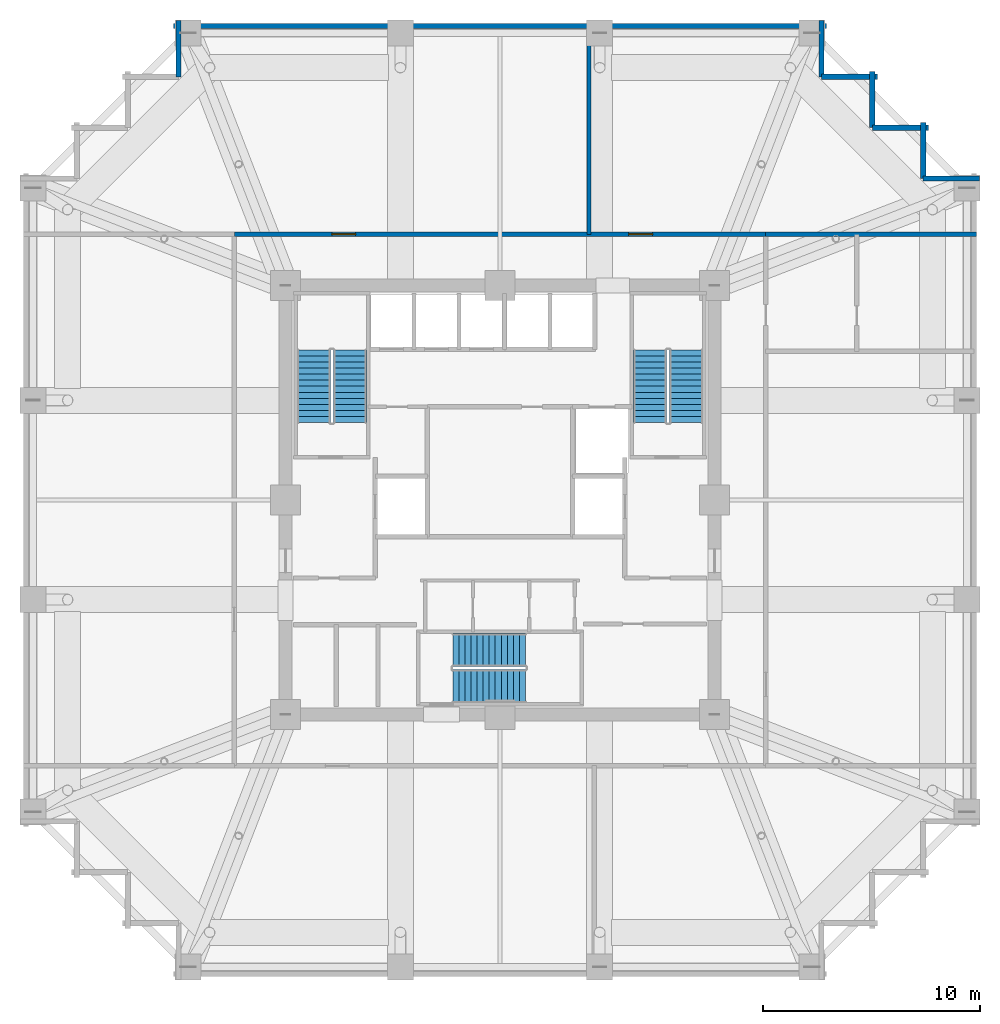
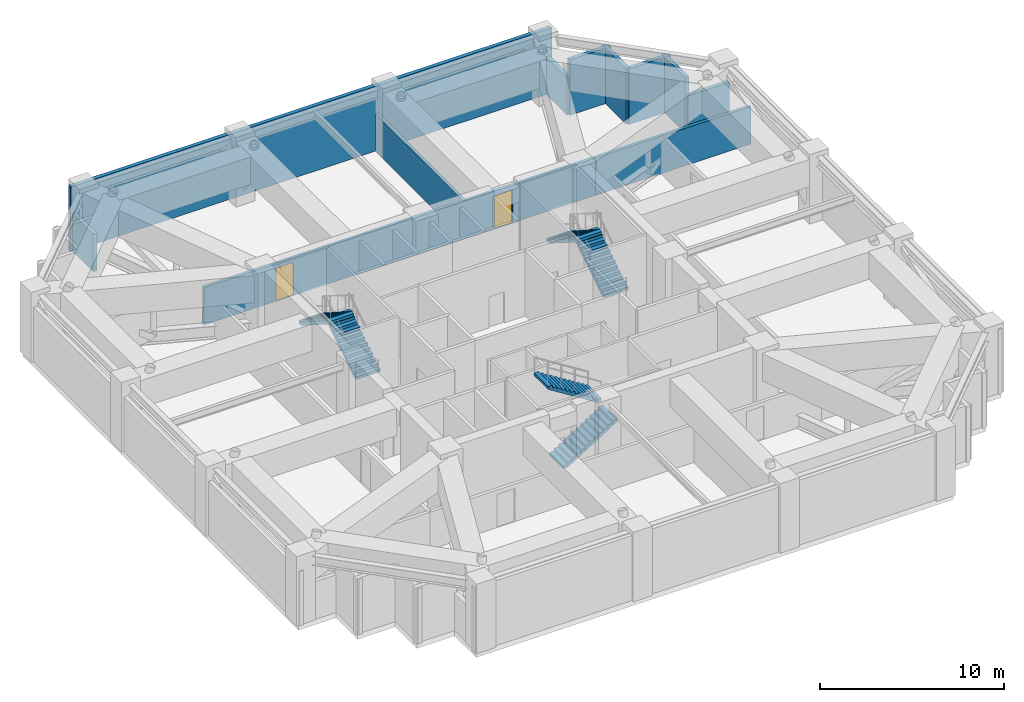
# One storey, part 14 of 15: 11 walls, 6 stair flights, 2 doors, 2 openings, 3 elements without a shape of their own.
"""IFC4 building model written with IfcOpenShell, lengths in metres."""

from ifc_helpers import new_model, si_unit, direction, frame, frame_2d, origin, place, context, subcontext, project, spatial, polyline, rectangle, outline, extrude, material, layer, layer_set, type_object, element, fill, aggregate, save


model = new_model("IFC4")

# Units and contexts
model_context = context("Model", 3, precision=1e-05, world=origin(), true_north=direction((0.0, 1.0)))
body_context = subcontext(model_context, "Body", "Model", "MODEL_VIEW")
ifc_project = project(units=[si_unit("LENGTHUNIT", "METRE"), si_unit("AREAUNIT", "SQUARE_METRE"), si_unit("VOLUMEUNIT", "CUBIC_METRE"), si_unit("PLANEANGLEUNIT", "RADIAN"), si_unit("MASSUNIT", "GRAM", prefix="KILO")], contexts=[model_context])

# Site, building, storey
site_placement = place(None, origin())
site = spatial("IfcSite", under=ifc_project, at=site_placement, CompositionType="ELEMENT")
building_placement = place(site_placement, origin())
building = spatial("IfcBuilding", under=site, at=building_placement, Name="Kolvaren Belvedere", CompositionType="ELEMENT")
storey_placement = place(building_placement, frame((0.0, 0.0, 63.39990234375)))
storey = spatial("IfcBuildingStorey", under=building, at=storey_placement, Name="L18", CompositionType="ELEMENT", Elevation=63.39990234375)

# Walls
ifc_material_1 = material(Name="Insulated acoustic pale-metal louvre wall", Category="aluminium")
ifc_layer_1 = layer(ifc_material_1, 0.239990234375)
ifc_layer_set_1 = layer_set([ifc_layer_1], Name="Insulated acoustic pale-metal louvre wall")
wall_type_1 = type_object("IfcWallType", Name="WL-LOUV-240", PredefinedType="STANDARD", material=ifc_layer_set_1)
wall_1_placement = place(storey_placement, frame((19.530029296875, 14.830078125, 0.0), z_axis=(0.0, 0.0, 1.0), x_axis=(1.0, 0.0, 0.0)))
element("IfcWall", 1, at=wall_1_placement, inside=storey, type_object=wall_type_1, Name="L18 Acoustic Louvre Facade Wall 9", PredefinedType="STANDARD", context=body_context, shape_type="SweptSolid", body=[
    extrude(rectangle(XDim=2.590087890625, YDim=0.239990234375, at=frame_2d((1.294921875, 0.0))), origin(), (0.0, 0.0, 1.0), 2.4951171875),
])
wall_2_placement = place(storey_placement, frame((19.530029296875, 17.419921875, 0.0), z_axis=(0.0, 0.0, 1.0), x_axis=(0.0, -1.0, 0.0)))
element("IfcWall", 2, at=wall_2_placement, inside=storey, type_object=wall_type_1, Name="L18 Acoustic Louvre Facade Wall 10", PredefinedType="STANDARD", context=body_context, shape_type="SweptSolid", body=[
    extrude(rectangle(XDim=2.58984375, YDim=0.239990234375, at=frame_2d((1.294921875, 0.0))), origin(), (0.0, 0.0, 1.0), 3.67919921875),
])
for number, where, z_axis, x_axis, name in (
    (3, (17.179931640625, 17.179931640625, 0.0), (0.0, 0.0, 1.0), (1.0, 0.0, 0.0), "L18 Acoustic Louvre Facade Wall 11"),
    (4, (17.179931640625, 19.77001953125, 0.0), (0.0, 0.0, 1.0), (0.0, -1.0, 0.0), "L18 Acoustic Louvre Facade Wall 12"),
):
    element("IfcWall", number, at=place(storey_placement, frame(where, z_axis=z_axis, x_axis=x_axis)), inside=storey, type_object=wall_type_1, Name=name, PredefinedType="STANDARD", context=body_context, shape_type="SweptSolid", body=[
        extrude(rectangle(XDim=2.590087890625, YDim=0.239990234375, at=frame_2d((1.294921875, 0.0))), origin(), (0.0, 0.0, 1.0), 3.67919921875),
    ])
wall_3_placement = place(storey_placement, frame((14.830078125, 19.530029296875, 0.0), z_axis=(0.0, 0.0, 1.0), x_axis=(1.0, 0.0, 0.0)))
element("IfcWall", 5, at=wall_3_placement, inside=storey, type_object=wall_type_1, Name="L18 Acoustic Louvre Facade Wall 13", PredefinedType="STANDARD", context=body_context, shape_type="SweptSolid", body=[
    extrude(rectangle(XDim=2.58984375, YDim=0.239990234375, at=frame_2d((1.294921875, 0.0))), origin(), (0.0, 0.0, 1.0), 3.67919921875),
])
wall_4_placement = place(storey_placement, frame((14.830078125, 22.1201171875, 0.0), z_axis=(0.0, 0.0, 1.0), x_axis=(0.0, -1.0, 0.0)))
element("IfcWall", 6, at=wall_4_placement, inside=storey, type_object=wall_type_1, Name="L18 Acoustic Louvre Facade Wall 14", PredefinedType="STANDARD", context=body_context, shape_type="SweptSolid", body=[
    extrude(rectangle(XDim=2.590087890625, YDim=0.239990234375, at=frame_2d((1.294921875, 0.0))), origin(), (0.0, 0.0, 1.0), 2.4951171875),
])
wall_5_placement = place(storey_placement, frame((-15.070068359375, 21.8798828125, 0.0), z_axis=(0.0, 0.0, 1.0), x_axis=(1.0, 0.0, 0.0)))
element("IfcWall", 7, at=wall_5_placement, inside=storey, type_object=wall_type_1, Name="L18 Acoustic Louvre Facade Wall 15", PredefinedType="STANDARD", context=body_context, shape_type="SweptSolid", body=[
    extrude(rectangle(XDim=30.14013671875, YDim=0.239990234375, at=frame_2d((15.070068359375, 0.0))), origin(), (0.0, 0.0, 1.0), 4.300048828125),
])
wall_6_placement = place(storey_placement, frame((-14.830078125, 19.530029296875, 0.0), z_axis=(0.0, 0.0, 1.0), x_axis=(0.0, 1.0, 0.0)))
element("IfcWall", 8, at=wall_6_placement, inside=storey, type_object=wall_type_1, Name="L18 Acoustic Louvre Facade Wall 16", PredefinedType="STANDARD", context=body_context, shape_type="SweptSolid", body=[
    extrude(rectangle(XDim=2.590087890625, YDim=0.239990234375, at=frame_2d((1.294921875, 0.0))), origin(), (0.0, 0.0, 1.0), 2.4951171875),
])

# Wall, openings, doors
ifc_material_2 = material(Name="Concrete C50/60", Category="concrete")
ifc_layer_2 = layer(ifc_material_2, 0.199951171875)
ifc_layer_set_2 = layer_set([ifc_layer_2], Name="Concrete C50/60")
wall_type_2 = type_object("IfcWallType", Name="WL-SHAFT-200", PredefinedType="SOLIDWALL", material=ifc_layer_set_2)
wall_7_placement = place(storey_placement, frame((-12.260009765625, 12.260009765625, 0.0), z_axis=(0.0, 0.0, 1.0), x_axis=(1.0, 0.0, 0.0)))
wall_7 = element("IfcWall", 9, at=wall_7_placement, inside=storey, type_object=wall_type_2, Name="L18 North Corridor Wall", PredefinedType="SOLIDWALL", context=body_context, shape_type="SweptSolid", body=[
    extrude(rectangle(XDim=24.52001953125, YDim=0.199951171875, at=frame_2d((12.260009765625, 0.0))), origin(), (0.0, 0.0, 1.0), 2.485107421875),
])
opening_1_placement = place(wall_7_placement, frame((4.5, 0.0, 0.0)))
opening_1 = element("IfcOpeningElement", 10, at=opening_1_placement, cuts=wall_7, Name="Opening D-FD90", PredefinedType="OPENING", context=body_context, shape_type="SweptSolid", body=[
    extrude(rectangle(XDim=1.10009765625, YDim=2.199951171875, at=frame_2d((0.550048828125, 1.10009765625))), frame((0.0, 0.10986328125, 0.0), z_axis=(0.0, -1.0, 0.0), x_axis=(1.0, 0.0, 0.0)), (0.0, 0.0, 1.0), 0.219970703125),
])
opening_2_placement = place(wall_7_placement, frame((18.199951171875, 0.0, 0.0)))
opening_2 = element("IfcOpeningElement", 11, at=opening_2_placement, cuts=wall_7, Name="Opening D-FD90", PredefinedType="OPENING", context=body_context, shape_type="SweptSolid", body=[
    extrude(rectangle(XDim=1.10009765625, YDim=2.199951171875, at=frame_2d((0.550048828125, 1.10009765625))), frame((0.0, 0.10986328125, 0.0), z_axis=(0.0, -1.0, 0.0), x_axis=(1.0, 0.0, 0.0)), (0.0, 0.0, 1.0), 0.219970703125),
])
ifc_material_3 = material(Name="Painted hollow stainless steel", Category="steel")
door_type = type_object("IfcDoorType", Name="DR-FD90-1100", OperationType="NOTDEFINED", PredefinedType="DOOR", material=ifc_material_3)
door_1_placement = place(opening_1_placement, origin())
door_1 = element("IfcDoor", 12, at=door_1_placement, inside=storey, type_object=door_type, Name="L18 North Pressurised Area of Refuge Door", OperationType="SINGLE_SWING_RIGHT", OverallHeight=2.199951171875, OverallWidth=1.10009765625, PredefinedType="DOOR", context=body_context, shape_type="SweptSolid", body=[
    extrude(rectangle(XDim=1.10009765625, YDim=2.199951171875, at=frame_2d((0.550048828125, 1.10009765625))), frame((0.0, 0.02490234375, 0.0), z_axis=(0.0, -1.0, 0.0), x_axis=(1.0, 0.0, 0.0)), (0.0, 0.0, 1.0), 0.050048828125),
])
fill(opening_1, door_1)
door_2_placement = place(opening_2_placement, origin())
door_2 = element("IfcDoor", 13, at=door_2_placement, inside=storey, type_object=door_type, Name="L18 Domestic Booster Pump Mechanical Plant Door", OperationType="SINGLE_SWING_LEFT", OverallHeight=2.199951171875, OverallWidth=1.10009765625, PredefinedType="DOOR", context=body_context, shape_type="SweptSolid", body=[
    extrude(rectangle(XDim=1.10009765625, YDim=2.199951171875, at=frame_2d((0.550048828125, 1.10009765625))), frame((0.0, 0.02490234375, 0.0), z_axis=(0.0, -1.0, 0.0), x_axis=(1.0, 0.0, 0.0)), (0.0, 0.0, 1.0), 0.050048828125),
])
fill(opening_2, door_2)

# Walls
wall_8_placement = place(storey_placement, frame((12.260009765625, 12.260009765625, 0.0), z_axis=(0.0, 0.0, 1.0), x_axis=(1.0, 0.0, 0.0)))
element("IfcWall", 14, at=wall_8_placement, inside=storey, type_object=wall_type_2, Name="L18 Sector Wall PW-L18-QNE", PredefinedType="SOLIDWALL", context=body_context, shape_type="SweptSolid", body=[
    extrude(rectangle(XDim=9.719970703125, YDim=0.199951171875, at=frame_2d((4.85986328125, 0.0))), origin(), (0.0, 0.0, 1.0), 2.485107421875),
])
wall_9_placement = place(storey_placement, frame((4.10498046875, 12.260009765625, 0.0), z_axis=(0.0, 0.0, 1.0), x_axis=(0.0, 1.0, 0.0)))
element("IfcWall", 15, at=wall_9_placement, inside=storey, type_object=wall_type_2, Name="L18 North Plant Wall", PredefinedType="SOLIDWALL", context=body_context, shape_type="SweptSolid", body=[
    extrude(rectangle(XDim=9.619873046875, YDim=0.199951171875, at=frame_2d((4.81005859375, 0.0))), origin(), (0.0, 0.0, 1.0), 2.485107421875),
])

# Stair, stair flights
ifc_material_4 = material(Name="Concrete C50/60", Category="concrete")
stair_type = type_object("IfcStairType", Name="ST-CORE-1520", PredefinedType="HALF_TURN_STAIR", material=ifc_material_4)
stair_1_placement = place(storey_placement, origin())
stair_1 = element("IfcStair", 16, at=stair_1_placement, inside=storey, type_object=stair_type, Name="L18 Protected Exit Stair ST-1", PredefinedType="HALF_TURN_STAIR")
ifc_material_5 = material(Name="Concrete C50/60", Category="concrete")
stair_flight_type = type_object("IfcStairFlightType", Name="SF-STR-1520", PredefinedType="STRAIGHT", material=ifc_material_5)
stair_flight_1_placement = place(storey_placement, frame((-6.919921875, 3.570068359375, 0.0), z_axis=(0.0, 0.0, 1.0), x_axis=(0.0, 1.0, 0.0)))
stair_flight_1 = element("IfcStairFlight", 17, at=stair_flight_1_placement, type_object=stair_flight_type, Name="ST-1 flight 1", NumberOfRisers=13, NumberOfTreads=12, PredefinedType="STRAIGHT", RiserHeight=0.176923077, TreadLength=0.28, context=body_context, shape_type="SweptSolid", body=[
    extrude(outline(polyline([(0.0, 0.0), (0.0, 0.177001953125), (0.280029296875, 0.177001953125), (0.280029296875, 0.353759765625), (0.56005859375, 0.353759765625), (0.56005859375, 0.53076171875), (0.840087890625, 0.53076171875), (0.840087890625, 0.707763671875), (1.1201171875, 0.707763671875), (1.1201171875, 0.884521484375), (1.39990234375, 0.884521484375), (1.39990234375, 1.0615234375), (1.679931640625, 1.0615234375), (1.679931640625, 1.238525390625), (1.9599609375, 1.238525390625), (1.9599609375, 1.415283203125), (2.239990234375, 1.415283203125), (2.239990234375, 1.59228515625), (2.52001953125, 1.59228515625), (2.52001953125, 1.769287109375), (2.800048828125, 1.769287109375), (2.800048828125, 1.946044921875), (3.080078125, 1.946044921875), (3.080078125, 2.123046875), (3.360107421875, 2.123046875), (3.360107421875, 2.300048828125), (3.360107421875, 1.94580078125), (0.280517578125, 0.0), (0.0, 0.0)])), frame((0.0, 0.760009765625, 0.0), z_axis=(0.0, -1.0, 0.0), x_axis=(1.0, 0.0, 0.0)), (0.0, 0.0, 1.0), 1.52001953125),
])
stair_flight_2_placement = place(storey_placement, frame((-8.590087890625, 6.929931640625, 2.300048828125), z_axis=(0.0, 0.0, 1.0), x_axis=(0.0, -1.0, 0.0)))
stair_flight_2 = element("IfcStairFlight", 18, at=stair_flight_2_placement, type_object=stair_flight_type, Name="ST-1 flight 2", NumberOfRisers=13, NumberOfTreads=12, PredefinedType="STRAIGHT", RiserHeight=0.176923077, TreadLength=0.28, context=body_context, shape_type="SweptSolid", body=[
    extrude(outline(polyline([(0.0, 0.0), (0.0, 0.177001953125), (0.280029296875, 0.177001953125), (0.280029296875, 0.353759765625), (0.56005859375, 0.353759765625), (0.56005859375, 0.53076171875), (0.840087890625, 0.53076171875), (0.840087890625, 0.707763671875), (1.1201171875, 0.707763671875), (1.1201171875, 0.884521484375), (1.39990234375, 0.884521484375), (1.39990234375, 1.0615234375), (1.679931640625, 1.0615234375), (1.679931640625, 1.238525390625), (1.9599609375, 1.238525390625), (1.9599609375, 1.415283203125), (2.239990234375, 1.415283203125), (2.239990234375, 1.59228515625), (2.52001953125, 1.59228515625), (2.52001953125, 1.769287109375), (2.800048828125, 1.769287109375), (2.800048828125, 1.946044921875), (3.080078125, 1.946044921875), (3.080078125, 2.123046875), (3.360107421875, 2.123046875), (3.360107421875, 2.300048828125), (3.360107421875, 1.94580078125), (0.280517578125, 0.0), (0.0, 0.0)])), frame((0.0, 0.760009765625, 0.0), z_axis=(0.0, -1.0, 0.0), x_axis=(1.0, 0.0, 0.0)), (0.0, 0.0, 1.0), 1.52001953125),
])
aggregate(stair_1, [stair_flight_1, stair_flight_2])

stair_2_placement = place(storey_placement, origin())
stair_2 = element("IfcStair", 19, at=stair_2_placement, inside=storey, type_object=stair_type, Name="L18 Protected Exit Stair ST-2", PredefinedType="HALF_TURN_STAIR")
stair_flight_3_placement = place(storey_placement, frame((8.590087890625, 3.570068359375, 0.0), z_axis=(0.0, 0.0, 1.0), x_axis=(0.0, 1.0, 0.0)))
stair_flight_3 = element("IfcStairFlight", 20, at=stair_flight_3_placement, type_object=stair_flight_type, Name="ST-2 flight 1", NumberOfRisers=13, NumberOfTreads=12, PredefinedType="STRAIGHT", RiserHeight=0.176923077, TreadLength=0.28, context=body_context, shape_type="SweptSolid", body=[
    extrude(outline(polyline([(0.0, 0.0), (0.0, 0.177001953125), (0.280029296875, 0.177001953125), (0.280029296875, 0.353759765625), (0.56005859375, 0.353759765625), (0.56005859375, 0.53076171875), (0.840087890625, 0.53076171875), (0.840087890625, 0.707763671875), (1.1201171875, 0.707763671875), (1.1201171875, 0.884521484375), (1.39990234375, 0.884521484375), (1.39990234375, 1.0615234375), (1.679931640625, 1.0615234375), (1.679931640625, 1.238525390625), (1.9599609375, 1.238525390625), (1.9599609375, 1.415283203125), (2.239990234375, 1.415283203125), (2.239990234375, 1.59228515625), (2.52001953125, 1.59228515625), (2.52001953125, 1.769287109375), (2.800048828125, 1.769287109375), (2.800048828125, 1.946044921875), (3.080078125, 1.946044921875), (3.080078125, 2.123046875), (3.360107421875, 2.123046875), (3.360107421875, 2.300048828125), (3.360107421875, 1.94580078125), (0.280517578125, 0.0), (0.0, 0.0)])), frame((0.0, 0.760009765625, 0.0), z_axis=(0.0, -1.0, 0.0), x_axis=(1.0, 0.0, 0.0)), (0.0, 0.0, 1.0), 1.52001953125),
])
stair_flight_4_placement = place(storey_placement, frame((6.919921875, 6.929931640625, 2.300048828125), z_axis=(0.0, 0.0, 1.0), x_axis=(0.0, -1.0, 0.0)))
stair_flight_4 = element("IfcStairFlight", 21, at=stair_flight_4_placement, type_object=stair_flight_type, Name="ST-2 flight 2", NumberOfRisers=13, NumberOfTreads=12, PredefinedType="STRAIGHT", RiserHeight=0.176923077, TreadLength=0.28, context=body_context, shape_type="SweptSolid", body=[
    extrude(outline(polyline([(0.0, 0.0), (0.0, 0.177001953125), (0.280029296875, 0.177001953125), (0.280029296875, 0.353759765625), (0.56005859375, 0.353759765625), (0.56005859375, 0.53076171875), (0.840087890625, 0.53076171875), (0.840087890625, 0.707763671875), (1.1201171875, 0.707763671875), (1.1201171875, 0.884521484375), (1.39990234375, 0.884521484375), (1.39990234375, 1.0615234375), (1.679931640625, 1.0615234375), (1.679931640625, 1.238525390625), (1.9599609375, 1.238525390625), (1.9599609375, 1.415283203125), (2.239990234375, 1.415283203125), (2.239990234375, 1.59228515625), (2.52001953125, 1.59228515625), (2.52001953125, 1.769287109375), (2.800048828125, 1.769287109375), (2.800048828125, 1.946044921875), (3.080078125, 1.946044921875), (3.080078125, 2.123046875), (3.360107421875, 2.123046875), (3.360107421875, 2.300048828125), (3.360107421875, 1.94580078125), (0.280517578125, 0.0), (0.0, 0.0)])), frame((0.0, 0.760009765625, 0.0), z_axis=(0.0, -1.0, 0.0), x_axis=(1.0, 0.0, 0.0)), (0.0, 0.0, 1.0), 1.52001953125),
])
aggregate(stair_2, [stair_flight_3, stair_flight_4])

stair_3_placement = place(storey_placement, origin())
stair_3 = element("IfcStair", 22, at=stair_3_placement, inside=storey, type_object=stair_type, Name="L18 Protected Exit Stair ST-3", PredefinedType="HALF_TURN_STAIR")
stair_flight_5_placement = place(storey_placement, frame((-2.179931640625, -8.590087890625, 0.0), z_axis=(0.0, 0.0, 1.0), x_axis=(1.0, 0.0, 0.0)))
stair_flight_5 = element("IfcStairFlight", 23, at=stair_flight_5_placement, type_object=stair_flight_type, Name="ST-3 flight 1", NumberOfRisers=13, NumberOfTreads=12, PredefinedType="STRAIGHT", RiserHeight=0.176923077, TreadLength=0.28, context=body_context, shape_type="SweptSolid", body=[
    extrude(outline(polyline([(0.0, 0.0), (0.0, 0.177001953125), (0.280029296875, 0.177001953125), (0.280029296875, 0.353759765625), (0.56005859375, 0.353759765625), (0.56005859375, 0.53076171875), (0.840087890625, 0.53076171875), (0.840087890625, 0.707763671875), (1.1201171875, 0.707763671875), (1.1201171875, 0.884521484375), (1.39990234375, 0.884521484375), (1.39990234375, 1.0615234375), (1.679931640625, 1.0615234375), (1.679931640625, 1.238525390625), (1.9599609375, 1.238525390625), (1.9599609375, 1.415283203125), (2.239990234375, 1.415283203125), (2.239990234375, 1.59228515625), (2.52001953125, 1.59228515625), (2.52001953125, 1.769287109375), (2.800048828125, 1.769287109375), (2.800048828125, 1.946044921875), (3.080078125, 1.946044921875), (3.080078125, 2.123046875), (3.360107421875, 2.123046875), (3.360107421875, 2.300048828125), (3.360107421875, 1.94580078125), (0.280517578125, 0.0), (0.0, 0.0)])), frame((0.0, 0.760009765625, 0.0), z_axis=(0.0, -1.0, 0.0), x_axis=(1.0, 0.0, 0.0)), (0.0, 0.0, 1.0), 1.52001953125),
])
stair_flight_6_placement = place(storey_placement, frame((1.179931640625, -6.919921875, 2.300048828125), z_axis=(0.0, 0.0, 1.0), x_axis=(-1.0, 0.0, 0.0)))
stair_flight_6 = element("IfcStairFlight", 24, at=stair_flight_6_placement, type_object=stair_flight_type, Name="ST-3 flight 2", NumberOfRisers=13, NumberOfTreads=12, PredefinedType="STRAIGHT", RiserHeight=0.176923077, TreadLength=0.28, context=body_context, shape_type="SweptSolid", body=[
    extrude(outline(polyline([(0.0, 0.0), (0.0, 0.177001953125), (0.280029296875, 0.177001953125), (0.280029296875, 0.353759765625), (0.56005859375, 0.353759765625), (0.56005859375, 0.53076171875), (0.840087890625, 0.53076171875), (0.840087890625, 0.707763671875), (1.1201171875, 0.707763671875), (1.1201171875, 0.884521484375), (1.39990234375, 0.884521484375), (1.39990234375, 1.0615234375), (1.679931640625, 1.0615234375), (1.679931640625, 1.238525390625), (1.9599609375, 1.238525390625), (1.9599609375, 1.415283203125), (2.239990234375, 1.415283203125), (2.239990234375, 1.59228515625), (2.52001953125, 1.59228515625), (2.52001953125, 1.769287109375), (2.800048828125, 1.769287109375), (2.800048828125, 1.946044921875), (3.080078125, 1.946044921875), (3.080078125, 2.123046875), (3.360107421875, 2.123046875), (3.360107421875, 2.300048828125), (3.360107421875, 1.94580078125), (0.280517578125, 0.0), (0.0, 0.0)])), frame((0.0, 0.760009765625, 0.0), z_axis=(0.0, -1.0, 0.0), x_axis=(1.0, 0.0, 0.0)), (0.0, 0.0, 1.0), 1.52001953125),
])
aggregate(stair_3, [stair_flight_5, stair_flight_6])

save(model, "model.ifc")
